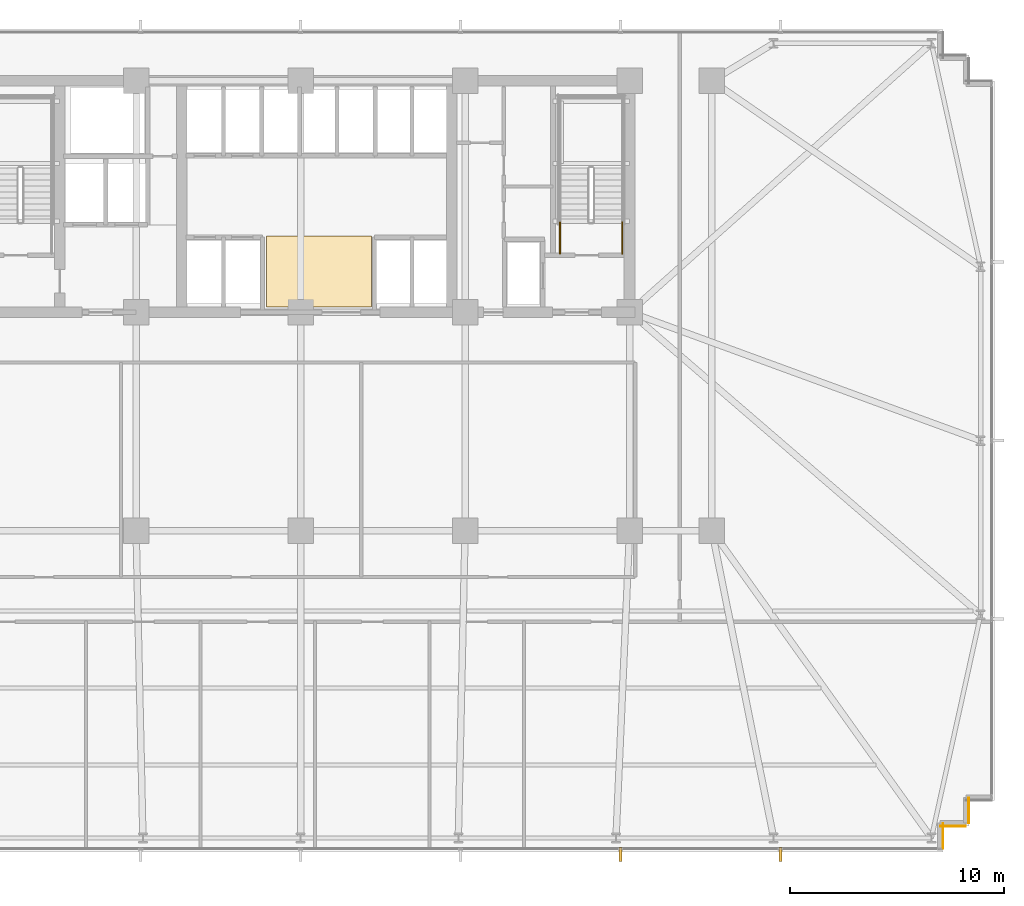
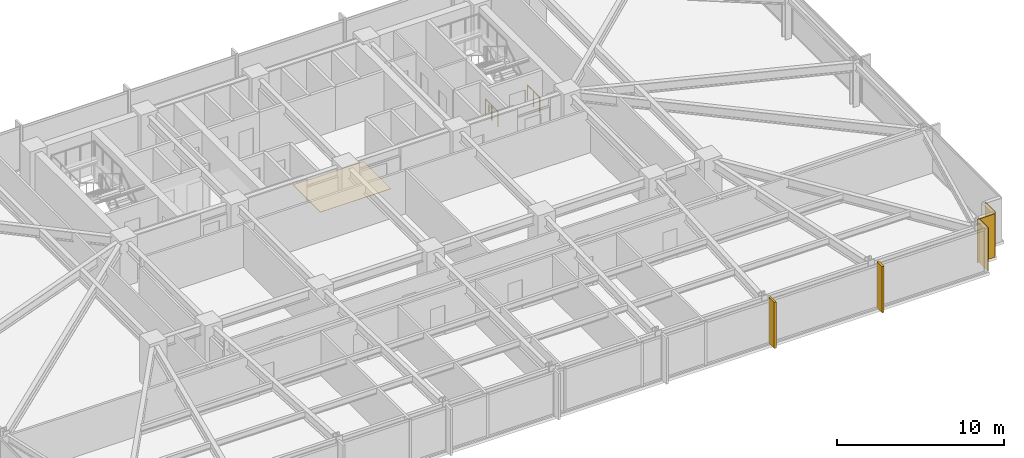
# One storey, part 29 of 33: 4 coverings, 2 railings, 2 shading devices.
"""IFC4 building model written with IfcOpenShell, lengths in metres."""

import ifcopenshell
import ifcopenshell.guid

model = None  # the IFC model being written
_history = None  # IfcOwnerHistory: only IFC2X3 demands one
_inside = {}  # id of a spatial element -> (the spatial element, [elements in it])
_under = {}  # id of a project, library or spatial element -> (it, [spatial elements below it])
_declared = {}  # id of a project -> (the project, [libraries it declares])
_typed = {}  # id of a type object -> (the type object, [elements of that type])
_made_of = {}  # id of a material, layer set ... -> (it, [elements and type objects made of it])


def new_model(schema):
    """Start an empty IFC model of exactly this schema.

    Asked for "IFC4X3", IfcOpenShell would pick the latest addendum, in which some entities
    have other attributes; the version numbers below select the first issue.
    IFC2X3 requires an IfcOwnerHistory on every rooted entity: one is made here for all.
    """
    global model, _history
    if schema == "IFC4X3":
        model = ifcopenshell.file(schema_version=(4, 3, 0, 0))
    else:
        model = ifcopenshell.file(schema=schema)
    _inside.clear()
    _under.clear()
    _declared.clear()
    _typed.clear()
    _made_of.clear()
    _history = None
    if model.schema == "IFC2X3":
        org = make("IfcOrganization", Name="unknown")
        user = make(
            "IfcPersonAndOrganization",
            ThePerson=make("IfcPerson", FamilyName="unknown"),
            TheOrganization=org,
        )
        app = make(
            "IfcApplication",
            ApplicationDeveloper=org,
            Version="unknown",
            ApplicationFullName="unknown",
            ApplicationIdentifier="unknown",
        )
        _history = make(
            "IfcOwnerHistory",
            OwningUser=user,
            OwningApplication=app,
            ChangeAction="ADDED",
            CreationDate=0,
        )
    return model


def make(cls, **values):
    """One entity of the class cls with the attributes given. An attribute that is None is left unset."""
    return model.create_entity(
        cls, **{name: value for name, value in values.items() if value is not None}
    )


def rooted(cls, **values):
    """An entity with a GlobalId (a new one), such as an element, a storey or a relation."""
    return make(cls, GlobalId=ifcopenshell.guid.new(), OwnerHistory=_history, **values)


def si_unit(unit_type, name, prefix=None):
    """IfcSIUnit, for example si_unit("LENGTHUNIT", "METRE", prefix="MILLI")."""
    return make("IfcSIUnit", UnitType=unit_type, Prefix=prefix, Name=name)


def assignment(units):
    """IfcUnitAssignment: the units of a project."""
    return None if units is None else make("IfcUnitAssignment", Units=units)


def point(xyz):
    """IfcCartesianPoint."""
    return None if xyz is None else make("IfcCartesianPoint", Coordinates=xyz)


def direction(xyz):
    """IfcDirection."""
    return None if xyz is None else make("IfcDirection", DirectionRatios=xyz)


def frame(location, z_axis=None, x_axis=None):
    """IfcAxis2Placement3D, a coordinate frame: its origin and axes. An axis left out is left unset."""
    return make(
        "IfcAxis2Placement3D",
        Location=point(location),
        Axis=direction(z_axis),
        RefDirection=direction(x_axis),
    )


def frame_2d(location, x_axis=None):
    """IfcAxis2Placement2D, a coordinate frame in the plane: its origin and x axis."""
    return make(
        "IfcAxis2Placement2D", Location=point(location), RefDirection=direction(x_axis)
    )


def origin():
    """The frame at (0, 0, 0) with its axes left unset."""
    return frame((0.0, 0.0, 0.0))


def origin_2d():
    """The frame at (0, 0) in the plane with its x axis left unset."""
    return frame_2d((0.0, 0.0))


def place(relative_to, where):
    """IfcLocalPlacement: puts the frame where relative to a parent placement (None: the world)."""
    return make(
        "IfcLocalPlacement", PlacementRelTo=relative_to, RelativePlacement=where
    )


def context(
    kind, dimensions, precision=None, world=None, true_north=None, identifier=None
):
    """IfcGeometricRepresentationContext, for example the 3D "Model" context."""
    return make(
        "IfcGeometricRepresentationContext",
        ContextIdentifier=identifier,
        ContextType=kind,
        CoordinateSpaceDimension=dimensions,
        Precision=precision,
        WorldCoordinateSystem=world,
        TrueNorth=true_north,
    )


def subcontext(parent, identifier, kind, view, scale=None):
    """IfcGeometricRepresentationSubContext, for example "Body" below "Model"."""
    return make(
        "IfcGeometricRepresentationSubContext",
        ContextIdentifier=identifier,
        ContextType=kind,
        ParentContext=parent,
        TargetScale=scale,
        TargetView=view,
    )


def project(units=None, contexts=None):
    """IfcProject with its units and contexts."""
    return rooted(
        "IfcProject",
        Name="project",
        RepresentationContexts=contexts,
        UnitsInContext=assignment(units),
    )


def spatial(cls, under=None, at=None, **own):
    """A site, building, storey or space (cls), placed at a placement, below another one or the project."""
    s = rooted(cls, ObjectPlacement=at, **own)
    if under is not None:
        _under.setdefault(under.id(), (under, []))[1].append(s)
    return s


def polyline(points):
    """IfcPolyline through the points."""
    return make("IfcPolyline", Points=[point(p) for p in points])


def profile(cls, at=None, kind="AREA", **sizes):
    """A parametric profile (cls). Its sizes go by their IFC names, for example OverallWidth=200.0."""
    return make(cls, ProfileType=kind, Position=at, **sizes)


def rectangle(**sizes):
    """IfcRectangleProfileDef."""
    return profile("IfcRectangleProfileDef", **sizes)


def circle(**sizes):
    """IfcCircleProfileDef."""
    return profile("IfcCircleProfileDef", **sizes)


def outline(outer, holes=None, kind="AREA"):
    """IfcArbitraryClosedProfileDef: a profile drawn as a closed curve; with holes, ...WithVoids."""
    if holes is None:
        return make("IfcArbitraryClosedProfileDef", ProfileType=kind, OuterCurve=outer)
    return make(
        "IfcArbitraryProfileDefWithVoids",
        ProfileType=kind,
        OuterCurve=outer,
        InnerCurves=holes,
    )


def extrude(swept, where, along, depth):
    """IfcExtrudedAreaSolid: the profile swept, set in the frame where, extruded along a direction by depth."""
    return make(
        "IfcExtrudedAreaSolid",
        SweptArea=swept,
        Position=where,
        ExtrudedDirection=direction(along),
        Depth=depth,
    )


def shape(context_of_items, identifier, shape_type, items):
    """IfcShapeRepresentation: the items that make up one representation, for example the "Body"."""
    return make(
        "IfcShapeRepresentation",
        ContextOfItems=context_of_items,
        RepresentationIdentifier=identifier,
        RepresentationType=shape_type,
        Items=items,
    )


def material(Name=None, Category=None):
    """IfcMaterial."""
    return make("IfcMaterial", Name=Name, Category=Category)


def layer(
    of_material, thickness, ventilated=None, Name=None, Category=None, Priority=None
):
    """IfcMaterialLayer: one layer of a wall or slab, of a material (None: an air gap)."""
    return make(
        "IfcMaterialLayer",
        Material=of_material,
        LayerThickness=thickness,
        IsVentilated=ventilated,
        Name=Name,
        Category=Category,
        Priority=Priority,
    )


def layer_set(layers, Name=None):
    """IfcMaterialLayerSet."""
    return make("IfcMaterialLayerSet", MaterialLayers=layers, LayerSetName=Name)


def made_of(thing, what):
    """Note that an element or type object is made of a material, layer set ...; save() writes the relation."""
    if what is not None:
        _made_of.setdefault(what.id(), (what, []))[1].append(thing)
    return thing


def type_object(cls, material=None, **own):
    """A type object (cls), such as IfcWallType, which elements share."""
    return made_of(rooted(cls, **own), material)


def element(
    cls,
    number,
    at=None,
    inside=None,
    cuts=None,
    type_object=None,
    material=None,
    context=None,
    identifier="Body",
    shape_type=None,
    held_by="IfcProductDefinitionShape",
    body=None,
    shapes=None,
    **own,
):
    """One element of the class cls, such as IfcWall. Its Tag is "e" and its number.

    at: its placement. inside: the storey or other place that contains it. cuts: it is an
    opening in that element (IfcRelVoidsElement). A single representation is given by context,
    identifier, shape_type and body (its items); several are given by shapes. held_by: the class
    of the entity that holds the representations. save() writes the other relations.
    """
    e = rooted(cls, Tag="e%d" % number, ObjectPlacement=at, **own)
    if body is not None:
        shapes = [shape(context, identifier, shape_type, body)]
    if shapes is not None:
        e.Representation = make(held_by, Representations=shapes)
    if inside is not None:
        _inside.setdefault(inside.id(), (inside, []))[1].append(e)
    if cuts is not None:
        rooted(
            "IfcRelVoidsElement", RelatingBuildingElement=cuts, RelatedOpeningElement=e
        )
    if type_object is not None:
        _typed.setdefault(type_object.id(), (type_object, []))[1].append(e)
    return made_of(e, material)


def aggregate(whole, parts):
    """IfcRelAggregates: a whole, such as a stair, and the parts it consists of."""
    return rooted("IfcRelAggregates", RelatingObject=whole, RelatedObjects=parts)


def save(model, path):
    """Write the relations noted so far, then the file.

    IfcRelAggregates (storeys below a building ...), IfcRelContainedInSpatialStructure (elements
    in a storey), IfcRelDefinesByType, IfcRelAssociatesMaterial and IfcRelDeclares: one each for
    every whole, place, type object, material and project.
    """
    for whole, parts in _under.values():
        aggregate(whole, parts)
    for where, things in _inside.values():
        rooted(
            "IfcRelContainedInSpatialStructure",
            RelatedElements=things,
            RelatingStructure=where,
        )
    for kind, things in _typed.values():
        rooted("IfcRelDefinesByType", RelatedObjects=things, RelatingType=kind)
    for what, things in _made_of.values():
        rooted("IfcRelAssociatesMaterial", RelatedObjects=things, RelatingMaterial=what)
    for by, libraries in _declared.values():
        rooted("IfcRelDeclares", RelatingContext=by, RelatedDefinitions=libraries)
    model.write(path)


model = new_model("IFC4")

# Units and contexts
model_context = context("Model", 3, precision=1e-05, world=origin(), true_north=direction((0.0, 1.0)))
body_context = subcontext(model_context, "Body", "Model", "MODEL_VIEW")
ifc_project = project(units=[si_unit("LENGTHUNIT", "METRE"), si_unit("AREAUNIT", "SQUARE_METRE"), si_unit("VOLUMEUNIT", "CUBIC_METRE"), si_unit("PLANEANGLEUNIT", "RADIAN"), si_unit("MASSUNIT", "GRAM", prefix="KILO")], contexts=[model_context])

# Site, building, storey
site_placement = place(None, origin())
site = spatial("IfcSite", under=ifc_project, at=site_placement, CompositionType="ELEMENT")
building_placement = place(site_placement, origin())
building = spatial("IfcBuilding", under=site, at=building_placement, Name="Yelkora Congress Tower", CompositionType="ELEMENT")
storey_placement = place(building_placement, frame((0.0, 0.0, 37.199951171875)))
storey = spatial("IfcBuildingStorey", under=building, at=storey_placement, Name="L08", CompositionType="ELEMENT", Elevation=37.199951171875)

# Coverings
ifc_material_1 = material(Name="Anatolian bush-hammered limestone", Category="masonry")
ifc_layer_1 = layer(ifc_material_1, 0.0400390625)
ifc_layer_set_1 = layer_set([ifc_layer_1], Name="Anatolian bush-hammered limestone")
covering_type_1 = type_object("IfcCoveringType", Name="COV-CLAD-SPANDREL-40", PredefinedType="CLADDING", material=ifc_layer_set_1)
for number, where, z_axis, x_axis, name in (
    (1, (69.594970703125, 12.739990234375, 0.0), (0.0, 0.0, 1.0), (0.0, -1.0, 0.0), "L08 Anatolian Limestone Cladding EW-L08-SR17"),
    (2, (69.4599609375, 11.405029296875, 0.0), (0.0, 0.0, 1.0), (-1.0, 0.0, 0.0), "L08 Anatolian Limestone Cladding EW-L08-SR18"),
    (3, (68.39501953125, 11.5400390625, 0.0), (0.0, 0.0, 1.0), (0.0, -1.0, 0.0), "L08 Anatolian Limestone Cladding EW-L08-SR19"),
):
    element("IfcCovering", number, at=place(storey_placement, frame(where, z_axis=z_axis, x_axis=x_axis)), inside=storey, type_object=covering_type_1, Name=name, PredefinedType="CLADDING", context=body_context, shape_type="SweptSolid", body=[
        extrude(rectangle(XDim=1.199951171875, YDim=0.0400390625, at=frame_2d((0.60009765625, 0.0))), origin(), (0.0, 0.0, 1.0), 3.179931640625),
    ])
ifc_material_2 = material(Name="Polished Anatolian grey granite tile", Category="masonry")
ifc_layer_2 = layer(ifc_material_2, 0.02001953125)
ifc_layer_set_2 = layer_set([ifc_layer_2], Name="Polished Anatolian grey granite tile")
covering_type_2 = type_object("IfcCoveringType", Name="COV-FLOOR-GRANITE-20", PredefinedType="FLOORING", material=ifc_layer_set_2)
covering_placement = place(storey_placement, origin())
element("IfcCovering", 4, at=covering_placement, inside=storey, type_object=covering_type_2, Name="L08 Lift Lobby Granite Flooring", PredefinedType="FLOORING", context=body_context, shape_type="SweptSolid", body=[
    extrude(outline(polyline([(36.800048828125, 35.64990234375), (41.699951171875, 35.64990234375), (41.699951171875, 38.949951171875), (36.800048828125, 38.949951171875), (36.800048828125, 35.64990234375)])), origin(), (0.0, 0.0, 1.0), 0.02001953125),
])

# Railings
ifc_material_3 = material(Name="Painted galvanised steel stair well guard with vertical infill", Category="steel")
ifc_layer_3 = layer(ifc_material_3, 0.06005859375)
ifc_layer_set_3 = layer_set([ifc_layer_3], Name="Painted galvanised steel stair well guard with vertical infill")
railing_type = type_object("IfcRailingType", Name="RAIL-STAIR-GUARD-1120", PredefinedType="GUARDRAIL", material=ifc_layer_set_3)
for number, where, name in (
    (5, (53.409912109375, 38.1201171875, 0.0), "ST-02 L08 Stair Well Guardrail 8"),
    (6, (50.510009765625, 38.1201171875, 0.0), "ST-02 L08 Stair Well Guardrail 9"),
):
    element("IfcRailing", number, at=place(storey_placement, frame(where)), inside=storey, type_object=railing_type, Name=name, PredefinedType="GUARDRAIL", context=body_context, shape_type="SweptSolid", body=[
        extrude(circle(Radius=0.02392578125, at=origin_2d()), frame((0.0, 0.0, 1.09619140625), z_axis=(0.0, 1.0, 0.0), x_axis=(-1.0, 0.0, 0.0)), (0.0, 0.0, 1.0), 1.47998046875),
        extrude(circle(Radius=0.02099609375, at=origin_2d()), origin(), (0.0, 0.0, 1.0), 1.072021484375),
        extrude(circle(Radius=0.02099609375, at=origin_2d()), frame((0.0, 0.739990234375, 0.0)), (0.0, 0.0, 1.0), 1.072021484375),
        extrude(circle(Radius=0.02099609375, at=origin_2d()), frame((0.0, 1.47998046875, 0.0)), (0.0, 0.0, 1.0), 1.072021484375),
    ])

# Shading devices
ifc_material_4 = material(Name="Champagne anodised aluminium", Category="aluminium")
ifc_layer_4 = layer(ifc_material_4, 3.39990234375)
ifc_layer_set_4 = layer_set([ifc_layer_4], Name="Champagne anodised aluminium")
shading_device_type = type_object("IfcShadingDeviceType", Name="SHD-FIN-ALU-640", PredefinedType="USERDEFINED", material=ifc_layer_set_4)
for number, where, z_axis, x_axis, name in (
    (7, (60.794921875, 10.080078125, -0.02978515625), (0.0, 0.0, 1.0), (-1.0, 0.0, 0.0), "L08 Vertical Anodised Solar Fin 20-1"),
    (8, (53.330078125, 10.080078125, -0.02978515625), (0.0, 0.0, 1.0), (-1.0, 0.0, 0.0), "L08 Vertical Anodised Solar Fin 20-2"),
):
    element("IfcShadingDevice", number, at=place(storey_placement, frame(where, z_axis=z_axis, x_axis=x_axis)), inside=storey, type_object=shading_device_type, Name=name, ObjectType="FIN", PredefinedType="USERDEFINED", context=body_context, shape_type="SweptSolid", body=[
        extrude(rectangle(XDim=0.139892578125, YDim=0.639892578125, at=origin_2d()), origin(), (0.0, 0.0, 1.0), 3.3798828125),
    ])

save(model, "model.ifc")
